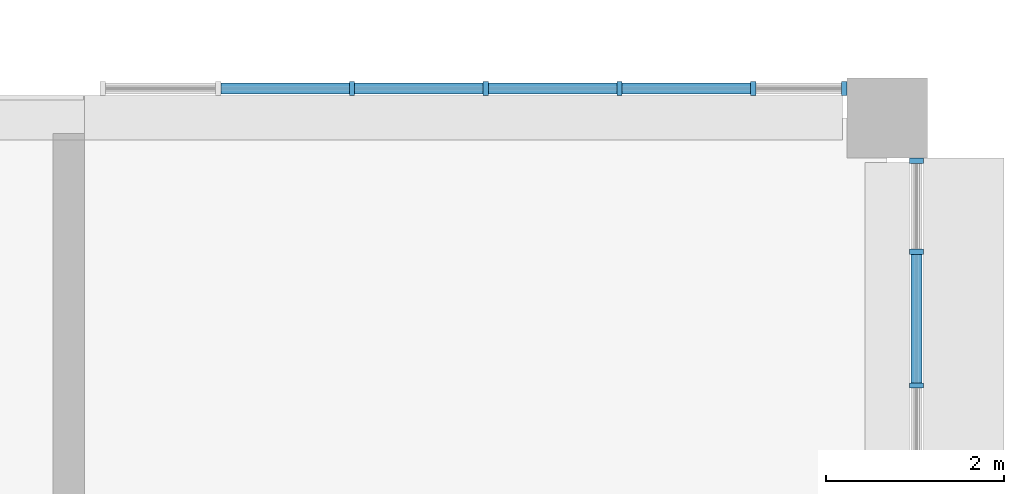
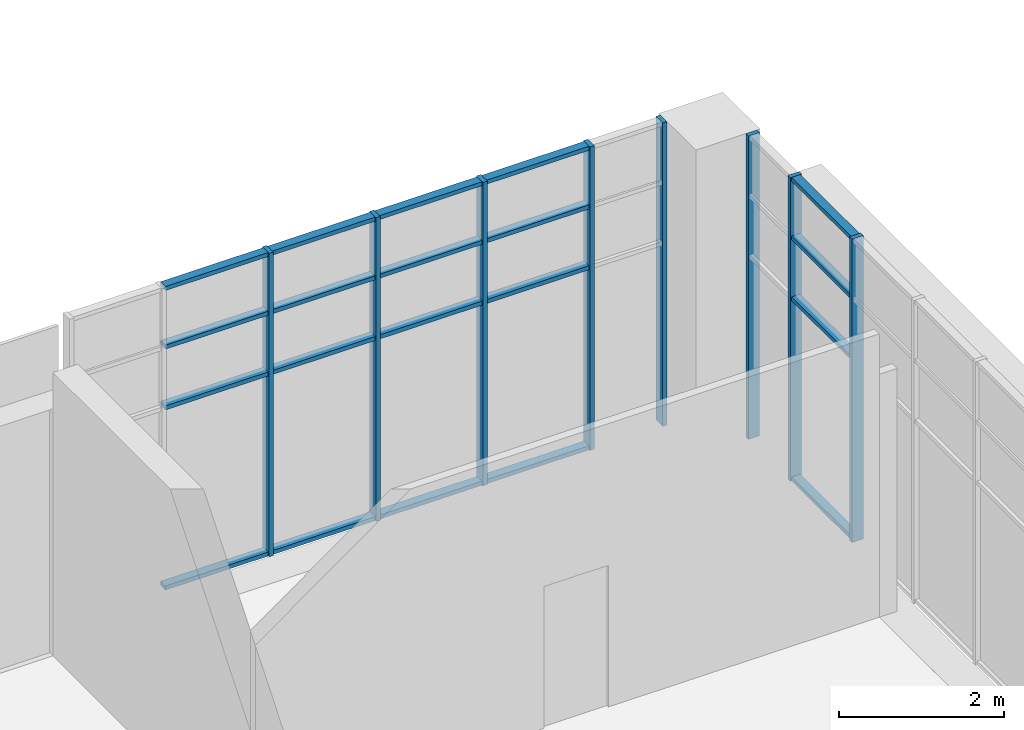
# One storey, part 35 of 106: 28 members, 2 elements without a shape of their own.
"""IFC4 building model written with IfcOpenShell, lengths in metres."""

from ifc_helpers import new_model, si_unit, direction, frame, origin, origin_2d, place, context, subcontext, project, spatial, rectangle, extrude, material, layer, layer_set, material_profile, profile_set, type_object, element, aggregate, save


model = new_model("IFC4")

# Units and contexts
model_context = context("Model", 3, precision=1e-05, world=origin(), true_north=direction((0.0, 1.0)))
body_context = subcontext(model_context, "Body", "Model", "MODEL_VIEW")
ifc_project = project(units=[si_unit("LENGTHUNIT", "METRE"), si_unit("AREAUNIT", "SQUARE_METRE"), si_unit("VOLUMEUNIT", "CUBIC_METRE"), si_unit("PLANEANGLEUNIT", "RADIAN"), si_unit("MASSUNIT", "GRAM", prefix="KILO")], contexts=[model_context])

# Site, building, storey
site_placement = place(None, origin())
site = spatial("IfcSite", under=ifc_project, at=site_placement, CompositionType="ELEMENT")
building_placement = place(site_placement, origin())
building = spatial("IfcBuilding", under=site, at=building_placement, Name="Guidao Yard Department Store", CompositionType="ELEMENT")
storey_placement = place(building_placement, frame((0.0, 0.0, 10.5)))
storey = spatial("IfcBuildingStorey", under=building, at=storey_placement, Name="L02", CompositionType="ELEMENT", Elevation=10.5)

# Curtain wall, members
ifc_material_1 = material(Name="Aluminium and glass", Category="aluminium")
ifc_layer = layer(ifc_material_1, 0.159912109375)
ifc_layer_set = layer_set([ifc_layer], Name="Unitised curtain wall CW4 1500 module")
curtain_wall_type = type_object("IfcCurtainWallType", Name="Unitised curtain wall CW4 1500 module", PredefinedType="NOTDEFINED", material=ifc_layer_set)
curtain_wall_1_placement = place(storey_placement, origin())
curtain_wall_1 = element("IfcCurtainWall", 1, at=curtain_wall_1_placement, inside=storey, type_object=curtain_wall_type, Name="Unitised curtain wall", PredefinedType="NOTDEFINED")
ifc_material_2 = material(Name="Aluminium 6063-T5", Category="aluminium")
ifc_material_profile_1 = material_profile(ifc_material_2, rectangle(XDim=0.06005859375, YDim=0.159912109375, at=origin_2d()), Name="Mullion M1 60 x 160 aluminium pressure plate")
ifc_profile_set_1 = profile_set([ifc_material_profile_1], Name="Aluminium 6063-T5")
member_type_1 = type_object("IfcMemberType", Name="Mullion M1 60 x 160 aluminium pressure plate", PredefinedType="MULLION", material=ifc_profile_set_1)
member_1_placement = place(storey_placement, frame((165.0, 27.330078125, 0.0), z_axis=(0.0, 0.0, 1.0), x_axis=(1.0, 0.0, 0.0)))
member_1 = element("IfcMember", 2, at=member_1_placement, type_object=member_type_1, Name="CW-OW-L02-08 mullion 3", PredefinedType="MULLION", context=body_context, shape_type="SweptSolid", body=[
    extrude(rectangle(XDim=0.06005859375, YDim=0.159912109375, at=origin_2d()), origin(), (0.0, 0.0, 1.0), 4.5),
])
member_2_placement = place(storey_placement, frame((166.5, 27.330078125, 0.0), z_axis=(0.0, 0.0, 1.0), x_axis=(1.0, 0.0, 0.0)))
member_2 = element("IfcMember", 3, at=member_2_placement, type_object=member_type_1, Name="CW-OW-L02-08 mullion 4", PredefinedType="MULLION", context=body_context, shape_type="SweptSolid", body=[
    extrude(rectangle(XDim=0.06005859375, YDim=0.159912109375, at=origin_2d()), origin(), (0.0, 0.0, 1.0), 4.5),
])
member_3_placement = place(storey_placement, frame((168.0, 27.330078125, 0.0), z_axis=(0.0, 0.0, 1.0), x_axis=(1.0, 0.0, 0.0)))
member_3 = element("IfcMember", 4, at=member_3_placement, type_object=member_type_1, Name="CW-OW-L02-08 mullion 5", PredefinedType="MULLION", context=body_context, shape_type="SweptSolid", body=[
    extrude(rectangle(XDim=0.06005859375, YDim=0.159912109375, at=origin_2d()), origin(), (0.0, 0.0, 1.0), 4.5),
])
member_4_placement = place(storey_placement, frame((169.5, 27.330078125, 0.0), z_axis=(0.0, 0.0, 1.0), x_axis=(1.0, 0.0, 0.0)))
member_4 = element("IfcMember", 5, at=member_4_placement, type_object=member_type_1, Name="CW-OW-L02-08 mullion 6", PredefinedType="MULLION", context=body_context, shape_type="SweptSolid", body=[
    extrude(rectangle(XDim=0.06005859375, YDim=0.159912109375, at=origin_2d()), origin(), (0.0, 0.0, 1.0), 4.5),
])
member_5_placement = place(storey_placement, frame((170.52001953125, 27.330078125, 0.0), z_axis=(0.0, 0.0, 1.0), x_axis=(1.0, 0.0, 0.0)))
member_5 = element("IfcMember", 6, at=member_5_placement, type_object=member_type_1, Name="CW-OW-L02-08 mullion 7", PredefinedType="MULLION", context=body_context, shape_type="SweptSolid", body=[
    extrude(rectangle(XDim=0.06005859375, YDim=0.159912109375, at=origin_2d()), origin(), (0.0, 0.0, 1.0), 4.5),
])

curtain_wall_2_placement = place(storey_placement, origin())
curtain_wall_2 = element("IfcCurtainWall", 7, at=curtain_wall_2_placement, inside=storey, type_object=curtain_wall_type, Name="Unitised curtain wall", PredefinedType="NOTDEFINED")
member_6_placement = place(storey_placement, frame((171.330078125, 24.0, 0.0), z_axis=(0.0, 0.0, 1.0), x_axis=(0.0, -1.0, 0.0)))
member_6 = element("IfcMember", 8, at=member_6_placement, type_object=member_type_1, Name="CW-OW-L02-11 mullion 5", PredefinedType="MULLION", context=body_context, shape_type="SweptSolid", body=[
    extrude(rectangle(XDim=0.06005859375, YDim=0.159912109375, at=origin_2d()), origin(), (0.0, 0.0, 1.0), 4.5),
])
member_7_placement = place(storey_placement, frame((171.330078125, 25.5, 0.0), z_axis=(0.0, 0.0, 1.0), x_axis=(0.0, -1.0, 0.0)))
member_7 = element("IfcMember", 9, at=member_7_placement, type_object=member_type_1, Name="CW-OW-L02-11 mullion 6", PredefinedType="MULLION", context=body_context, shape_type="SweptSolid", body=[
    extrude(rectangle(XDim=0.06005859375, YDim=0.159912109375, at=origin_2d()), origin(), (0.0, 0.0, 1.0), 4.5),
])
member_8_placement = place(storey_placement, frame((171.330078125, 26.52001953125, 0.0), z_axis=(0.0, 0.0, 1.0), x_axis=(0.0, -1.0, 0.0)))
member_8 = element("IfcMember", 10, at=member_8_placement, type_object=member_type_1, Name="CW-OW-L02-11 mullion 7", PredefinedType="MULLION", context=body_context, shape_type="SweptSolid", body=[
    extrude(rectangle(XDim=0.06005859375, YDim=0.159912109375, at=origin_2d()), origin(), (0.0, 0.0, 1.0), 4.5),
])

# Member
ifc_material_3 = material(Name="Aluminium 6063-T5", Category="aluminium")
ifc_material_profile_2 = material_profile(ifc_material_3, rectangle(XDim=0.1201171875, YDim=0.06005859375, at=origin_2d()), Name="Transom T1 60 x 120 aluminium pressure plate")
ifc_profile_set_2 = profile_set([ifc_material_profile_2], Name="Aluminium 6063-T5")
member_type_2 = type_object("IfcMemberType", Name="Transom T1 60 x 120 aluminium pressure plate", PredefinedType="USERDEFINED", material=ifc_profile_set_2)
member_9_placement = place(storey_placement, frame((163.530029296875, 27.330078125, 0.030029296875), z_axis=(1.0, 0.0, 0.0), x_axis=(0.0, 1.0, 0.0)))
member_9 = element("IfcMember", 11, at=member_9_placement, type_object=member_type_2, Name="CW-OW-L02-08 transom 2.1", ObjectType="TRANSOM", PredefinedType="USERDEFINED", context=body_context, shape_type="SweptSolid", body=[
    extrude(rectangle(XDim=0.1201171875, YDim=0.06005859375, at=origin_2d()), origin(), (0.0, 0.0, 1.0), 1.43994140625),
])

member_10_placement = place(storey_placement, frame((163.530029296875, 27.330078125, 2.699951171875), z_axis=(1.0, 0.0, 0.0), x_axis=(0.0, 1.0, 0.0)))
member_10 = element("IfcMember", 12, at=member_10_placement, type_object=member_type_2, Name="CW-OW-L02-08 transom 2.2", ObjectType="TRANSOM", PredefinedType="USERDEFINED", context=body_context, shape_type="SweptSolid", body=[
    extrude(rectangle(XDim=0.1201171875, YDim=0.06005859375, at=origin_2d()), origin(), (0.0, 0.0, 1.0), 1.43994140625),
])

member_11_placement = place(storey_placement, frame((163.530029296875, 27.330078125, 3.60009765625), z_axis=(1.0, 0.0, 0.0), x_axis=(0.0, 1.0, 0.0)))
member_11 = element("IfcMember", 13, at=member_11_placement, type_object=member_type_2, Name="CW-OW-L02-08 transom 2.3", ObjectType="TRANSOM", PredefinedType="USERDEFINED", context=body_context, shape_type="SweptSolid", body=[
    extrude(rectangle(XDim=0.1201171875, YDim=0.06005859375, at=origin_2d()), origin(), (0.0, 0.0, 1.0), 1.43994140625),
])

member_12_placement = place(storey_placement, frame((163.530029296875, 27.330078125, 4.469970703125), z_axis=(1.0, 0.0, 0.0), x_axis=(0.0, 1.0, 0.0)))
member_12 = element("IfcMember", 14, at=member_12_placement, type_object=member_type_2, Name="CW-OW-L02-08 transom 2.4", ObjectType="TRANSOM", PredefinedType="USERDEFINED", context=body_context, shape_type="SweptSolid", body=[
    extrude(rectangle(XDim=0.1201171875, YDim=0.06005859375, at=origin_2d()), origin(), (0.0, 0.0, 1.0), 1.43994140625),
])

member_13_placement = place(storey_placement, frame((165.030029296875, 27.330078125, 0.030029296875), z_axis=(1.0, 0.0, 0.0), x_axis=(0.0, 1.0, 0.0)))
member_13 = element("IfcMember", 15, at=member_13_placement, type_object=member_type_2, Name="CW-OW-L02-08 transom 3.1", ObjectType="TRANSOM", PredefinedType="USERDEFINED", context=body_context, shape_type="SweptSolid", body=[
    extrude(rectangle(XDim=0.1201171875, YDim=0.06005859375, at=origin_2d()), origin(), (0.0, 0.0, 1.0), 1.43994140625),
])

member_14_placement = place(storey_placement, frame((165.030029296875, 27.330078125, 2.699951171875), z_axis=(1.0, 0.0, 0.0), x_axis=(0.0, 1.0, 0.0)))
member_14 = element("IfcMember", 16, at=member_14_placement, type_object=member_type_2, Name="CW-OW-L02-08 transom 3.2", ObjectType="TRANSOM", PredefinedType="USERDEFINED", context=body_context, shape_type="SweptSolid", body=[
    extrude(rectangle(XDim=0.1201171875, YDim=0.06005859375, at=origin_2d()), origin(), (0.0, 0.0, 1.0), 1.43994140625),
])

member_15_placement = place(storey_placement, frame((165.030029296875, 27.330078125, 3.60009765625), z_axis=(1.0, 0.0, 0.0), x_axis=(0.0, 1.0, 0.0)))
member_15 = element("IfcMember", 17, at=member_15_placement, type_object=member_type_2, Name="CW-OW-L02-08 transom 3.3", ObjectType="TRANSOM", PredefinedType="USERDEFINED", context=body_context, shape_type="SweptSolid", body=[
    extrude(rectangle(XDim=0.1201171875, YDim=0.06005859375, at=origin_2d()), origin(), (0.0, 0.0, 1.0), 1.43994140625),
])

member_16_placement = place(storey_placement, frame((165.030029296875, 27.330078125, 4.469970703125), z_axis=(1.0, 0.0, 0.0), x_axis=(0.0, 1.0, 0.0)))
member_16 = element("IfcMember", 18, at=member_16_placement, type_object=member_type_2, Name="CW-OW-L02-08 transom 3.4", ObjectType="TRANSOM", PredefinedType="USERDEFINED", context=body_context, shape_type="SweptSolid", body=[
    extrude(rectangle(XDim=0.1201171875, YDim=0.06005859375, at=origin_2d()), origin(), (0.0, 0.0, 1.0), 1.43994140625),
])

member_17_placement = place(storey_placement, frame((166.530029296875, 27.330078125, 0.030029296875), z_axis=(1.0, 0.0, 0.0), x_axis=(0.0, 1.0, 0.0)))
member_17 = element("IfcMember", 19, at=member_17_placement, type_object=member_type_2, Name="CW-OW-L02-08 transom 4.1", ObjectType="TRANSOM", PredefinedType="USERDEFINED", context=body_context, shape_type="SweptSolid", body=[
    extrude(rectangle(XDim=0.1201171875, YDim=0.06005859375, at=origin_2d()), origin(), (0.0, 0.0, 1.0), 1.43994140625),
])

member_18_placement = place(storey_placement, frame((166.530029296875, 27.330078125, 2.699951171875), z_axis=(1.0, 0.0, 0.0), x_axis=(0.0, 1.0, 0.0)))
member_18 = element("IfcMember", 20, at=member_18_placement, type_object=member_type_2, Name="CW-OW-L02-08 transom 4.2", ObjectType="TRANSOM", PredefinedType="USERDEFINED", context=body_context, shape_type="SweptSolid", body=[
    extrude(rectangle(XDim=0.1201171875, YDim=0.06005859375, at=origin_2d()), origin(), (0.0, 0.0, 1.0), 1.43994140625),
])

member_19_placement = place(storey_placement, frame((166.530029296875, 27.330078125, 3.60009765625), z_axis=(1.0, 0.0, 0.0), x_axis=(0.0, 1.0, 0.0)))
member_19 = element("IfcMember", 21, at=member_19_placement, type_object=member_type_2, Name="CW-OW-L02-08 transom 4.3", ObjectType="TRANSOM", PredefinedType="USERDEFINED", context=body_context, shape_type="SweptSolid", body=[
    extrude(rectangle(XDim=0.1201171875, YDim=0.06005859375, at=origin_2d()), origin(), (0.0, 0.0, 1.0), 1.43994140625),
])

member_20_placement = place(storey_placement, frame((166.530029296875, 27.330078125, 4.469970703125), z_axis=(1.0, 0.0, 0.0), x_axis=(0.0, 1.0, 0.0)))
member_20 = element("IfcMember", 22, at=member_20_placement, type_object=member_type_2, Name="CW-OW-L02-08 transom 4.4", ObjectType="TRANSOM", PredefinedType="USERDEFINED", context=body_context, shape_type="SweptSolid", body=[
    extrude(rectangle(XDim=0.1201171875, YDim=0.06005859375, at=origin_2d()), origin(), (0.0, 0.0, 1.0), 1.43994140625),
])

member_21_placement = place(storey_placement, frame((168.030029296875, 27.330078125, 0.030029296875), z_axis=(1.0, 0.0, 0.0), x_axis=(0.0, 1.0, 0.0)))
member_21 = element("IfcMember", 23, at=member_21_placement, type_object=member_type_2, Name="CW-OW-L02-08 transom 5.1", ObjectType="TRANSOM", PredefinedType="USERDEFINED", context=body_context, shape_type="SweptSolid", body=[
    extrude(rectangle(XDim=0.1201171875, YDim=0.06005859375, at=origin_2d()), origin(), (0.0, 0.0, 1.0), 1.43994140625),
])

member_22_placement = place(storey_placement, frame((168.030029296875, 27.330078125, 2.699951171875), z_axis=(1.0, 0.0, 0.0), x_axis=(0.0, 1.0, 0.0)))
member_22 = element("IfcMember", 24, at=member_22_placement, type_object=member_type_2, Name="CW-OW-L02-08 transom 5.2", ObjectType="TRANSOM", PredefinedType="USERDEFINED", context=body_context, shape_type="SweptSolid", body=[
    extrude(rectangle(XDim=0.1201171875, YDim=0.06005859375, at=origin_2d()), origin(), (0.0, 0.0, 1.0), 1.43994140625),
])

member_23_placement = place(storey_placement, frame((168.030029296875, 27.330078125, 3.60009765625), z_axis=(1.0, 0.0, 0.0), x_axis=(0.0, 1.0, 0.0)))
member_23 = element("IfcMember", 25, at=member_23_placement, type_object=member_type_2, Name="CW-OW-L02-08 transom 5.3", ObjectType="TRANSOM", PredefinedType="USERDEFINED", context=body_context, shape_type="SweptSolid", body=[
    extrude(rectangle(XDim=0.1201171875, YDim=0.06005859375, at=origin_2d()), origin(), (0.0, 0.0, 1.0), 1.43994140625),
])

member_24_placement = place(storey_placement, frame((168.030029296875, 27.330078125, 4.469970703125), z_axis=(1.0, 0.0, 0.0), x_axis=(0.0, 1.0, 0.0)))
member_24 = element("IfcMember", 26, at=member_24_placement, type_object=member_type_2, Name="CW-OW-L02-08 transom 5.4", ObjectType="TRANSOM", PredefinedType="USERDEFINED", context=body_context, shape_type="SweptSolid", body=[
    extrude(rectangle(XDim=0.1201171875, YDim=0.06005859375, at=origin_2d()), origin(), (0.0, 0.0, 1.0), 1.43994140625),
])

aggregate(curtain_wall_1, [member_1, member_2, member_3, member_4, member_5, member_9, member_10, member_11, member_12, member_13, member_14, member_15, member_16, member_17, member_18, member_19, member_20, member_21, member_22, member_23, member_24])

member_25_placement = place(storey_placement, frame((171.330078125, 25.469970703125, 0.030029296875), z_axis=(0.0, -1.0, 0.0), x_axis=(1.0, 0.0, 0.0)))
member_25 = element("IfcMember", 27, at=member_25_placement, type_object=member_type_2, Name="CW-OW-L02-11 transom 5.1", ObjectType="TRANSOM", PredefinedType="USERDEFINED", context=body_context, shape_type="SweptSolid", body=[
    extrude(rectangle(XDim=0.1201171875, YDim=0.06005859375, at=origin_2d()), origin(), (0.0, 0.0, 1.0), 1.43994140625),
])

member_26_placement = place(storey_placement, frame((171.330078125, 25.469970703125, 2.699951171875), z_axis=(0.0, -1.0, 0.0), x_axis=(1.0, 0.0, 0.0)))
member_26 = element("IfcMember", 28, at=member_26_placement, type_object=member_type_2, Name="CW-OW-L02-11 transom 5.2", ObjectType="TRANSOM", PredefinedType="USERDEFINED", context=body_context, shape_type="SweptSolid", body=[
    extrude(rectangle(XDim=0.1201171875, YDim=0.06005859375, at=origin_2d()), origin(), (0.0, 0.0, 1.0), 1.43994140625),
])

member_27_placement = place(storey_placement, frame((171.330078125, 25.469970703125, 3.60009765625), z_axis=(0.0, -1.0, 0.0), x_axis=(1.0, 0.0, 0.0)))
member_27 = element("IfcMember", 29, at=member_27_placement, type_object=member_type_2, Name="CW-OW-L02-11 transom 5.3", ObjectType="TRANSOM", PredefinedType="USERDEFINED", context=body_context, shape_type="SweptSolid", body=[
    extrude(rectangle(XDim=0.1201171875, YDim=0.06005859375, at=origin_2d()), origin(), (0.0, 0.0, 1.0), 1.43994140625),
])

member_28_placement = place(storey_placement, frame((171.330078125, 25.469970703125, 4.469970703125), z_axis=(0.0, -1.0, 0.0), x_axis=(1.0, 0.0, 0.0)))
member_28 = element("IfcMember", 30, at=member_28_placement, type_object=member_type_2, Name="CW-OW-L02-11 transom 5.4", ObjectType="TRANSOM", PredefinedType="USERDEFINED", context=body_context, shape_type="SweptSolid", body=[
    extrude(rectangle(XDim=0.1201171875, YDim=0.06005859375, at=origin_2d()), origin(), (0.0, 0.0, 1.0), 1.43994140625),
])

aggregate(curtain_wall_2, [member_6, member_7, member_8, member_25, member_26, member_27, member_28])

save(model, "model.ifc")
